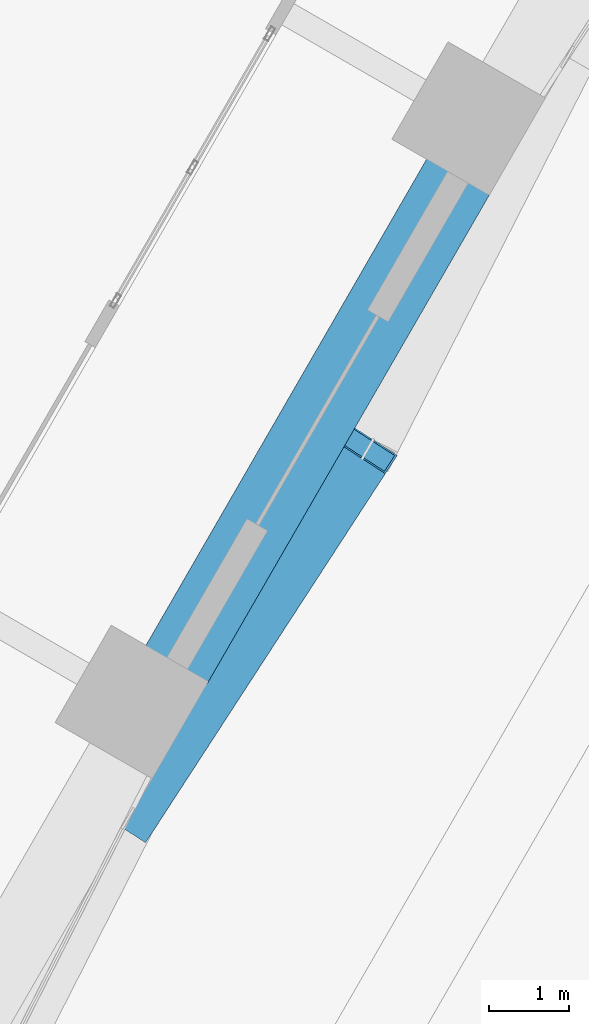
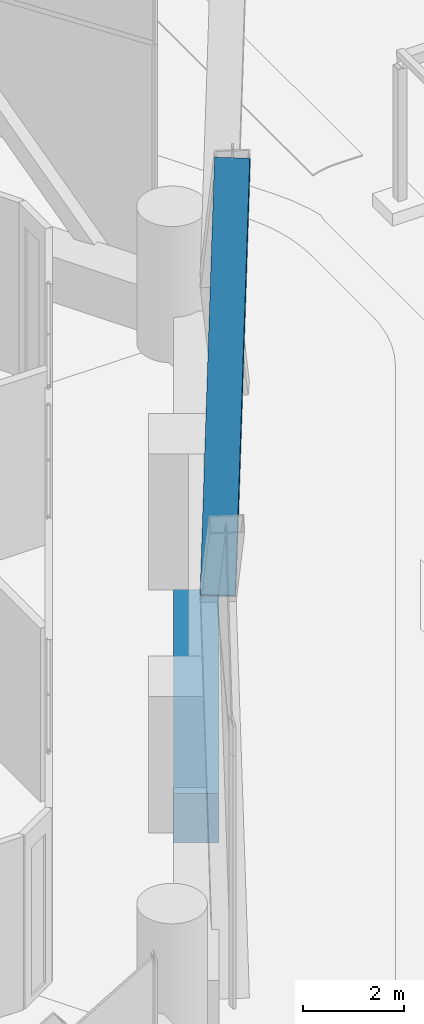
# One storey, part 31 of 71: 1 beam, 1 member.
"""IFC4 building model written with IfcOpenShell, lengths in metres."""

from ifc_helpers import new_model, si_unit, direction, frame, origin, origin_2d, place, context, subcontext, project, spatial, rectangle, hollow_rectangle, extrude, material, material_profile, profile_set, type_object, element, save


model = new_model("IFC4")

# Units and contexts
model_context = context("Model", 3, precision=1e-05, world=origin(), true_north=direction((0.0, 1.0)))
body_context = subcontext(model_context, "Body", "Model", "MODEL_VIEW")
ifc_project = project(units=[si_unit("LENGTHUNIT", "METRE"), si_unit("AREAUNIT", "SQUARE_METRE"), si_unit("VOLUMEUNIT", "CUBIC_METRE"), si_unit("PLANEANGLEUNIT", "RADIAN"), si_unit("MASSUNIT", "GRAM", prefix="KILO")], contexts=[model_context])

# Site, building, storey
site_placement = place(None, origin())
site = spatial("IfcSite", under=ifc_project, at=site_placement, CompositionType="ELEMENT")
building_placement = place(site_placement, origin())
building = spatial("IfcBuilding", under=site, at=building_placement, Name="Ostrander Bayou Hotel Tower", CompositionType="ELEMENT")
storey_placement = place(building_placement, frame((0.0, 0.0, 10.0)))
storey = spatial("IfcBuildingStorey", under=building, at=storey_placement, Name="L02", CompositionType="ELEMENT", Elevation=10.0)

# Member
ifc_material_1 = material(Name="Steel ASTM A572 Gr 50", Category="steel")
ifc_material_profile_1 = material_profile(ifc_material_1, hollow_rectangle(XDim=0.699951171875, YDim=0.35009765625, WallThickness=0.02490234375, at=origin_2d()))
ifc_profile_set_1 = profile_set([ifc_material_profile_1], Name="Steel ASTM A572 Gr 50")
member_type = type_object("IfcMemberType", Name="LT1 lattice member box 700 x 350 x 25 mm", PredefinedType="BRACE", material=ifc_profile_set_1)
member_placement = place(storey_placement, frame((16.126953125, -15.63330078125, 6.14990234375), z_axis=(0.343401696022, 0.528774603055, 0.776191145488), x_axis=(-0.838662270052, 0.544651812438, 0.0)))
element("IfcMember", 1, at=member_placement, inside=storey, type_object=member_type, Name="LT1 L02 SE 3", PredefinedType="BRACE", context=body_context, shape_type="SweptSolid", body=[
    extrude(hollow_rectangle(XDim=0.699951171875, YDim=0.35009765625, WallThickness=0.02490234375, at=origin_2d()), origin(), (0.0, 0.0, 1.0), 8.6962890625),
])

# Beam
ifc_material_2 = material(Name="Concrete f'c 70 MPa", Category="concrete")
ifc_material_profile_2 = material_profile(ifc_material_2, rectangle(XDim=0.89990234375, YDim=1.199951171875, at=origin_2d()))
ifc_profile_set_2 = profile_set([ifc_material_profile_2], Name="Concrete f'c 70 MPa")
beam_type = type_object("IfcBeamType", Name="SP1 spandrel beam 900 x 1200 mm f'c 70 MPa", PredefinedType="SPANDREL", material=ifc_profile_set_2)
beam_placement = place(storey_placement, frame((16.726806640625, -13.72802734375, -0.60009765625), z_axis=(0.499997206141, 0.866027016814, 0.0), x_axis=(-0.866027016814, 0.499997206141, 0.0)))
element("IfcBeam", 2, at=beam_placement, inside=storey, type_object=beam_type, Name="SP1 L02 SE-2", PredefinedType="SPANDREL", context=body_context, shape_type="SweptSolid", body=[
    extrude(rectangle(XDim=0.89990234375, YDim=1.199951171875, at=origin_2d()), origin(), (0.0, 0.0, 1.0), 7.05078125),
])

save(model, "model.ifc")
